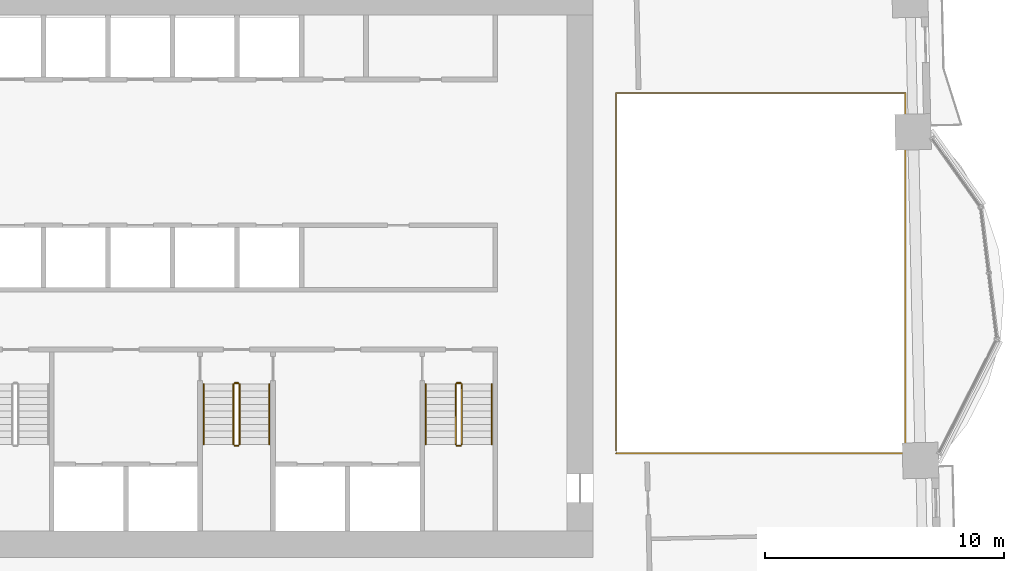
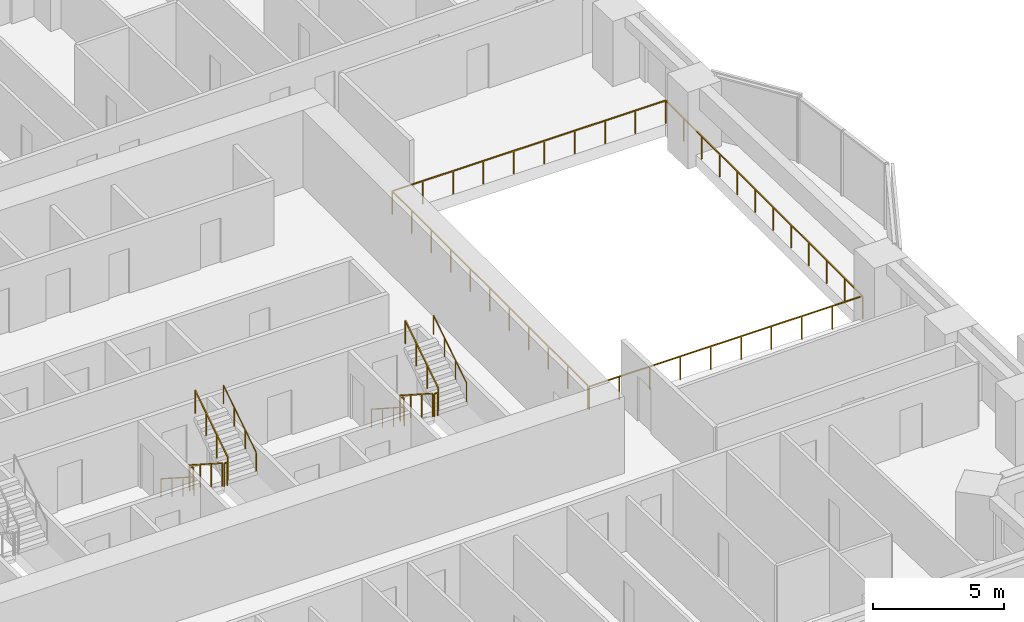
# One storey, part 15 of 16: 13 railings.
"""IFC4 building model written with IfcOpenShell, lengths in metres."""

from ifc_helpers import new_model, si_unit, direction, frame, origin, origin_2d, place, context, subcontext, project, spatial, rectangle, circle, extrude, material, type_object, element, save


model = new_model("IFC4")

# Units and contexts
model_context = context("Model", 3, precision=1e-05, world=origin(), true_north=direction((0.0, 1.0)))
body_context = subcontext(model_context, "Body", "Model", "MODEL_VIEW")
ifc_project = project(units=[si_unit("LENGTHUNIT", "METRE"), si_unit("AREAUNIT", "SQUARE_METRE"), si_unit("VOLUMEUNIT", "CUBIC_METRE"), si_unit("PLANEANGLEUNIT", "RADIAN"), si_unit("MASSUNIT", "GRAM", prefix="KILO")], contexts=[model_context])

# Site, building, storey
site_placement = place(None, origin())
site = spatial("IfcSite", under=ifc_project, at=site_placement, CompositionType="ELEMENT")
building_placement = place(site_placement, origin())
building = spatial("IfcBuilding", under=site, at=building_placement, Name="Mangrove Gate Tower", CompositionType="ELEMENT")
storey_placement = place(building_placement, frame((0.0, 0.0, 44.89990234375)))
storey = spatial("IfcBuildingStorey", under=building, at=storey_placement, Name="L10", CompositionType="ELEMENT", Elevation=44.89990234375)

# Railings
ifc_material_1 = material(Name="Stainless steel grade 316 with laminated glass infill", Category="steel")
railing_type_1 = type_object("IfcRailingType", Name="Balcony guard 1100", PredefinedType="GUARDRAIL", material=ifc_material_1)
railing_1_placement = place(storey_placement, frame((15.860107421875, -7.5400390625, 0.0)))
element("IfcRailing", 1, at=railing_1_placement, inside=storey, type_object=railing_type_1, Name="GUARD L10 atrium", PredefinedType="GUARDRAIL", context=body_context, shape_type="SweptSolid", body=[
    extrude(rectangle(XDim=0.048095703125, YDim=0.048095703125, at=origin_2d()), frame((0.0, 0.0, 1.076171875), z_axis=(1.0, 0.0, 0.0), x_axis=(0.0, 1.0, 0.0)), (0.0, 0.0, 1.0), 12.101806640625),
    extrude(rectangle(XDim=0.048095703125, YDim=0.048095703125, at=origin_2d()), frame((12.101806640625, 0.0, 1.076171875), z_axis=(0.0, 1.0, 0.0), x_axis=(-1.0, 0.0, 0.0)), (0.0, 0.0, 1.0), 15.080078125),
    extrude(rectangle(XDim=0.048095703125, YDim=0.048095703125, at=origin_2d()), frame((12.101806640625, 15.080078125, 1.076171875), z_axis=(-1.0, 0.0, 0.0), x_axis=(0.0, -1.0, 0.0)), (0.0, 0.0, 1.0), 12.101806640625),
    extrude(rectangle(XDim=0.048095703125, YDim=0.048095703125, at=origin_2d()), frame((0.0, 15.080078125, 1.076171875), z_axis=(0.0, -1.0, 0.0), x_axis=(1.0, 0.0, 0.0)), (0.0, 0.0, 1.0), 14.9599609375),
    extrude(rectangle(XDim=0.0419921875, YDim=0.0419921875, at=origin_2d()), origin(), (0.0, 0.0, 1.0), 1.052001953125),
    extrude(rectangle(XDim=0.0419921875, YDim=0.0419921875, at=origin_2d()), frame((1.3447265625, 0.0, 0.0)), (0.0, 0.0, 1.0), 1.052001953125),
    extrude(rectangle(XDim=0.0419921875, YDim=0.0419921875, at=origin_2d()), frame((2.689208984375, 0.0, 0.0)), (0.0, 0.0, 1.0), 1.052001953125),
    extrude(rectangle(XDim=0.0419921875, YDim=0.0419921875, at=origin_2d()), frame((4.033935546875, 0.0, 0.0)), (0.0, 0.0, 1.0), 1.052001953125),
    extrude(rectangle(XDim=0.0419921875, YDim=0.0419921875, at=origin_2d()), frame((5.378662109375, 0.0, 0.0)), (0.0, 0.0, 1.0), 1.052001953125),
    extrude(rectangle(XDim=0.0419921875, YDim=0.0419921875, at=origin_2d()), frame((6.72314453125, 0.0, 0.0)), (0.0, 0.0, 1.0), 1.052001953125),
    extrude(rectangle(XDim=0.0419921875, YDim=0.0419921875, at=origin_2d()), frame((8.06787109375, 0.0, 0.0)), (0.0, 0.0, 1.0), 1.052001953125),
    extrude(rectangle(XDim=0.0419921875, YDim=0.0419921875, at=origin_2d()), frame((9.41259765625, 0.0, 0.0)), (0.0, 0.0, 1.0), 1.052001953125),
    extrude(rectangle(XDim=0.0419921875, YDim=0.0419921875, at=origin_2d()), frame((10.757080078125, 0.0, 0.0)), (0.0, 0.0, 1.0), 1.052001953125),
    extrude(rectangle(XDim=0.0419921875, YDim=0.0419921875, at=origin_2d()), frame((12.101806640625, 0.0, 0.0)), (0.0, 0.0, 1.0), 1.052001953125),
    extrude(rectangle(XDim=0.0419921875, YDim=0.0419921875, at=origin_2d()), frame((12.101806640625, 1.370849609375, 0.0)), (0.0, 0.0, 1.0), 1.052001953125),
    extrude(rectangle(XDim=0.0419921875, YDim=0.0419921875, at=origin_2d()), frame((12.101806640625, 2.741943359375, 0.0)), (0.0, 0.0, 1.0), 1.052001953125),
    extrude(rectangle(XDim=0.0419921875, YDim=0.0419921875, at=origin_2d()), frame((12.101806640625, 4.11279296875, 0.0)), (0.0, 0.0, 1.0), 1.052001953125),
    extrude(rectangle(XDim=0.0419921875, YDim=0.0419921875, at=origin_2d()), frame((12.101806640625, 5.483642578125, 0.0)), (0.0, 0.0, 1.0), 1.052001953125),
    extrude(rectangle(XDim=0.0419921875, YDim=0.0419921875, at=origin_2d()), frame((12.101806640625, 6.8544921875, 0.0)), (0.0, 0.0, 1.0), 1.052001953125),
    extrude(rectangle(XDim=0.0419921875, YDim=0.0419921875, at=origin_2d()), frame((12.101806640625, 8.2255859375, 0.0)), (0.0, 0.0, 1.0), 1.052001953125),
    extrude(rectangle(XDim=0.0419921875, YDim=0.0419921875, at=origin_2d()), frame((12.101806640625, 9.596435546875, 0.0)), (0.0, 0.0, 1.0), 1.052001953125),
    extrude(rectangle(XDim=0.0419921875, YDim=0.0419921875, at=origin_2d()), frame((12.101806640625, 10.96728515625, 0.0)), (0.0, 0.0, 1.0), 1.052001953125),
    extrude(rectangle(XDim=0.0419921875, YDim=0.0419921875, at=origin_2d()), frame((12.101806640625, 12.338134765625, 0.0)), (0.0, 0.0, 1.0), 1.052001953125),
    extrude(rectangle(XDim=0.0419921875, YDim=0.0419921875, at=origin_2d()), frame((12.101806640625, 13.709228515625, 0.0)), (0.0, 0.0, 1.0), 1.052001953125),
    extrude(rectangle(XDim=0.0419921875, YDim=0.0419921875, at=origin_2d()), frame((12.101806640625, 15.080078125, 0.0)), (0.0, 0.0, 1.0), 1.052001953125),
    extrude(rectangle(XDim=0.0419921875, YDim=0.0419921875, at=origin_2d()), frame((10.757080078125, 15.080078125, 0.0)), (0.0, 0.0, 1.0), 1.052001953125),
    extrude(rectangle(XDim=0.0419921875, YDim=0.0419921875, at=origin_2d()), frame((9.41259765625, 15.080078125, 0.0)), (0.0, 0.0, 1.0), 1.052001953125),
    extrude(rectangle(XDim=0.0419921875, YDim=0.0419921875, at=origin_2d()), frame((8.06787109375, 15.080078125, 0.0)), (0.0, 0.0, 1.0), 1.052001953125),
    extrude(rectangle(XDim=0.0419921875, YDim=0.0419921875, at=origin_2d()), frame((6.72314453125, 15.080078125, 0.0)), (0.0, 0.0, 1.0), 1.052001953125),
    extrude(rectangle(XDim=0.0419921875, YDim=0.0419921875, at=origin_2d()), frame((5.378662109375, 15.080078125, 0.0)), (0.0, 0.0, 1.0), 1.052001953125),
    extrude(rectangle(XDim=0.0419921875, YDim=0.0419921875, at=origin_2d()), frame((4.033935546875, 15.080078125, 0.0)), (0.0, 0.0, 1.0), 1.052001953125),
    extrude(rectangle(XDim=0.0419921875, YDim=0.0419921875, at=origin_2d()), frame((2.689208984375, 15.080078125, 0.0)), (0.0, 0.0, 1.0), 1.052001953125),
    extrude(rectangle(XDim=0.0419921875, YDim=0.0419921875, at=origin_2d()), frame((1.3447265625, 15.080078125, 0.0)), (0.0, 0.0, 1.0), 1.052001953125),
    extrude(rectangle(XDim=0.0419921875, YDim=0.0419921875, at=origin_2d()), frame((0.0, 15.080078125, 0.0)), (0.0, 0.0, 1.0), 1.052001953125),
    extrude(rectangle(XDim=0.0419921875, YDim=0.0419921875, at=origin_2d()), frame((0.0, 13.583984375, 0.0)), (0.0, 0.0, 1.0), 1.052001953125),
    extrude(rectangle(XDim=0.0419921875, YDim=0.0419921875, at=origin_2d()), frame((0.0, 12.088134765625, 0.0)), (0.0, 0.0, 1.0), 1.052001953125),
    extrude(rectangle(XDim=0.0419921875, YDim=0.0419921875, at=origin_2d()), frame((0.0, 10.592041015625, 0.0)), (0.0, 0.0, 1.0), 1.052001953125),
    extrude(rectangle(XDim=0.0419921875, YDim=0.0419921875, at=origin_2d()), frame((0.0, 9.09619140625, 0.0)), (0.0, 0.0, 1.0), 1.052001953125),
    extrude(rectangle(XDim=0.0419921875, YDim=0.0419921875, at=origin_2d()), frame((0.0, 7.60009765625, 0.0)), (0.0, 0.0, 1.0), 1.052001953125),
    extrude(rectangle(XDim=0.0419921875, YDim=0.0419921875, at=origin_2d()), frame((0.0, 6.10400390625, 0.0)), (0.0, 0.0, 1.0), 1.052001953125),
    extrude(rectangle(XDim=0.0419921875, YDim=0.0419921875, at=origin_2d()), frame((0.0, 4.608154296875, 0.0)), (0.0, 0.0, 1.0), 1.052001953125),
    extrude(rectangle(XDim=0.0419921875, YDim=0.0419921875, at=origin_2d()), frame((0.0, 3.112060546875, 0.0)), (0.0, 0.0, 1.0), 1.052001953125),
    extrude(rectangle(XDim=0.0419921875, YDim=0.0419921875, at=origin_2d()), frame((0.0, 1.6162109375, 0.0)), (0.0, 0.0, 1.0), 1.052001953125),
    extrude(rectangle(XDim=0.0419921875, YDim=0.0419921875, at=origin_2d()), frame((0.0, 0.1201171875, 0.0)), (0.0, 0.0, 1.0), 1.052001953125),
])
ifc_material_2 = material(Name="Stainless steel 316", Category="steel")
railing_type_2 = type_object("IfcRailingType", Name="Core stair guard 1100", PredefinedType="GUARDRAIL", material=ifc_material_2)
railing_2_placement = place(storey_placement, frame((-0.14990234375, -4.64990234375, 0.18017578125)))
element("IfcRailing", 2, at=railing_2_placement, inside=storey, type_object=railing_type_2, Name="L10 ST2 stair guard 1", PredefinedType="GUARDRAIL", context=body_context, shape_type="SweptSolid", body=[
    extrude(rectangle(XDim=0.048095703125, YDim=0.048095703125, at=origin_2d()), frame((0.0, 0.0, 1.076171875), z_axis=(0.0, -0.841199657755, 0.540724639528), x_axis=(1.0, 0.0, 0.0)), (0.0, 0.0, 1.0), 2.995849609375),
    extrude(rectangle(XDim=0.0419921875, YDim=0.0419921875, at=origin_2d()), origin(), (0.0, 0.0, 1.0), 1.052001953125),
    extrude(rectangle(XDim=0.0419921875, YDim=0.0419921875, at=origin_2d()), frame((0.0, -0.840087890625, 0.5400390625)), (0.0, 0.0, 1.0), 1.052001953125),
    extrude(rectangle(XDim=0.0419921875, YDim=0.0419921875, at=origin_2d()), frame((0.0, -1.679931640625, 1.079833984375)), (0.0, 0.0, 1.0), 1.052001953125),
    extrude(rectangle(XDim=0.0419921875, YDim=0.0419921875, at=origin_2d()), frame((0.0, -2.52001953125, 1.619873046875)), (0.0, 0.0, 1.0), 1.052001953125),
])
railing_3_placement = place(storey_placement, frame((-0.10009765625, -7.219970703125, 1.800048828125)))
element("IfcRailing", 3, at=railing_3_placement, inside=storey, type_object=railing_type_2, Name="L10 ST2 stair guard 2", PredefinedType="GUARDRAIL", context=body_context, shape_type="SweptSolid", body=[
    extrude(rectangle(XDim=0.048095703125, YDim=0.048095703125, at=origin_2d()), frame((0.0, 0.0, 1.076171875), z_axis=(1.0, 0.0, 0.0), x_axis=(0.0, 1.0, 0.0)), (0.0, 0.0, 1.0), 0.150146484375),
    extrude(rectangle(XDim=0.0419921875, YDim=0.0419921875, at=origin_2d()), origin(), (0.0, 0.0, 1.0), 1.052001953125),
    extrude(rectangle(XDim=0.0419921875, YDim=0.0419921875, at=origin_2d()), frame((0.150146484375, 0.0, 0.0)), (0.0, 0.0, 1.0), 1.052001953125),
])
railing_4_placement = place(storey_placement, frame((0.10009765625, -7.169921875, 1.97998046875)))
element("IfcRailing", 4, at=railing_4_placement, inside=storey, type_object=railing_type_2, Name="L10 ST2 stair guard 3", PredefinedType="GUARDRAIL", context=body_context, shape_type="SweptSolid", body=[
    extrude(rectangle(XDim=0.048095703125, YDim=0.048095703125, at=origin_2d()), frame((0.0, 0.0, 1.076171875), z_axis=(0.0, 0.841162588446, 0.540782303519), x_axis=(-1.0, 0.0, 0.0)), (0.0, 0.0, 1.0), 2.995849609375),
    extrude(rectangle(XDim=0.0419921875, YDim=0.0419921875, at=origin_2d()), origin(), (0.0, 0.0, 1.0), 1.052001953125),
    extrude(rectangle(XDim=0.0419921875, YDim=0.0419921875, at=origin_2d()), frame((0.0, 0.840087890625, 0.5400390625)), (0.0, 0.0, 1.0), 1.052001953125),
    extrude(rectangle(XDim=0.0419921875, YDim=0.0419921875, at=origin_2d()), frame((0.0, 1.679931640625, 1.080078125)), (0.0, 0.0, 1.0), 1.052001953125),
    extrude(rectangle(XDim=0.0419921875, YDim=0.0419921875, at=origin_2d()), frame((0.0, 2.52001953125, 1.6201171875)), (0.0, 0.0, 1.0), 1.052001953125),
])
railing_5_placement = place(storey_placement, frame((-0.10009765625, -4.60009765625, 0.0)))
element("IfcRailing", 5, at=railing_5_placement, inside=storey, type_object=railing_type_2, Name="L10 ST2 stair guard 4", PredefinedType="GUARDRAIL", context=body_context, shape_type="SweptSolid", body=[
    extrude(rectangle(XDim=0.048095703125, YDim=0.048095703125, at=origin_2d()), frame((0.0, 0.0, 1.076171875), z_axis=(1.0, 0.0, 0.0), x_axis=(0.0, 1.0, 0.0)), (0.0, 0.0, 1.0), 0.150146484375),
    extrude(rectangle(XDim=0.0419921875, YDim=0.0419921875, at=origin_2d()), origin(), (0.0, 0.0, 1.0), 1.052001953125),
    extrude(rectangle(XDim=0.0419921875, YDim=0.0419921875, at=origin_2d()), frame((0.150146484375, 0.0, 0.0)), (0.0, 0.0, 1.0), 1.052001953125),
])
railing_6_placement = place(storey_placement, frame((9.14990234375, -4.64990234375, 0.18017578125)))
element("IfcRailing", 6, at=railing_6_placement, inside=storey, type_object=railing_type_2, Name="L10 ST3 stair guard 1", PredefinedType="GUARDRAIL", context=body_context, shape_type="SweptSolid", body=[
    extrude(rectangle(XDim=0.048095703125, YDim=0.048095703125, at=origin_2d()), frame((0.0, 0.0, 1.076171875), z_axis=(0.0, -0.841199657755, 0.540724639528), x_axis=(1.0, 0.0, 0.0)), (0.0, 0.0, 1.0), 2.995849609375),
    extrude(rectangle(XDim=0.0419921875, YDim=0.0419921875, at=origin_2d()), origin(), (0.0, 0.0, 1.0), 1.052001953125),
    extrude(rectangle(XDim=0.0419921875, YDim=0.0419921875, at=origin_2d()), frame((0.0, -0.840087890625, 0.5400390625)), (0.0, 0.0, 1.0), 1.052001953125),
    extrude(rectangle(XDim=0.0419921875, YDim=0.0419921875, at=origin_2d()), frame((0.0, -1.679931640625, 1.079833984375)), (0.0, 0.0, 1.0), 1.052001953125),
    extrude(rectangle(XDim=0.0419921875, YDim=0.0419921875, at=origin_2d()), frame((0.0, -2.52001953125, 1.619873046875)), (0.0, 0.0, 1.0), 1.052001953125),
])
railing_7_placement = place(storey_placement, frame((9.199951171875, -7.219970703125, 1.800048828125)))
element("IfcRailing", 7, at=railing_7_placement, inside=storey, type_object=railing_type_2, Name="L10 ST3 stair guard 2", PredefinedType="GUARDRAIL", context=body_context, shape_type="SweptSolid", body=[
    extrude(rectangle(XDim=0.048095703125, YDim=0.048095703125, at=origin_2d()), frame((0.0, 0.0, 1.076171875), z_axis=(1.0, 0.0, 0.0), x_axis=(0.0, 1.0, 0.0)), (0.0, 0.0, 1.0), 0.150146484375),
    extrude(rectangle(XDim=0.0419921875, YDim=0.0419921875, at=origin_2d()), origin(), (0.0, 0.0, 1.0), 1.052001953125),
    extrude(rectangle(XDim=0.0419921875, YDim=0.0419921875, at=origin_2d()), frame((0.150146484375, 0.0, 0.0)), (0.0, 0.0, 1.0), 1.052001953125),
])
railing_8_placement = place(storey_placement, frame((9.39990234375, -7.169921875, 1.97998046875)))
element("IfcRailing", 8, at=railing_8_placement, inside=storey, type_object=railing_type_2, Name="L10 ST3 stair guard 3", PredefinedType="GUARDRAIL", context=body_context, shape_type="SweptSolid", body=[
    extrude(rectangle(XDim=0.048095703125, YDim=0.048095703125, at=origin_2d()), frame((0.0, 0.0, 1.076171875), z_axis=(0.0, 0.841162588446, 0.540782303519), x_axis=(-1.0, 0.0, 0.0)), (0.0, 0.0, 1.0), 2.995849609375),
    extrude(rectangle(XDim=0.0419921875, YDim=0.0419921875, at=origin_2d()), origin(), (0.0, 0.0, 1.0), 1.052001953125),
    extrude(rectangle(XDim=0.0419921875, YDim=0.0419921875, at=origin_2d()), frame((0.0, 0.840087890625, 0.5400390625)), (0.0, 0.0, 1.0), 1.052001953125),
    extrude(rectangle(XDim=0.0419921875, YDim=0.0419921875, at=origin_2d()), frame((0.0, 1.679931640625, 1.080078125)), (0.0, 0.0, 1.0), 1.052001953125),
    extrude(rectangle(XDim=0.0419921875, YDim=0.0419921875, at=origin_2d()), frame((0.0, 2.52001953125, 1.6201171875)), (0.0, 0.0, 1.0), 1.052001953125),
])
railing_9_placement = place(storey_placement, frame((9.199951171875, -4.60009765625, 0.0)))
element("IfcRailing", 9, at=railing_9_placement, inside=storey, type_object=railing_type_2, Name="L10 ST3 stair guard 4", PredefinedType="GUARDRAIL", context=body_context, shape_type="SweptSolid", body=[
    extrude(rectangle(XDim=0.048095703125, YDim=0.048095703125, at=origin_2d()), frame((0.0, 0.0, 1.076171875), z_axis=(1.0, 0.0, 0.0), x_axis=(0.0, 1.0, 0.0)), (0.0, 0.0, 1.0), 0.150146484375),
    extrude(rectangle(XDim=0.0419921875, YDim=0.0419921875, at=origin_2d()), origin(), (0.0, 0.0, 1.0), 1.052001953125),
    extrude(rectangle(XDim=0.0419921875, YDim=0.0419921875, at=origin_2d()), frame((0.150146484375, 0.0, 0.0)), (0.0, 0.0, 1.0), 1.052001953125),
])
ifc_material_3 = material(Name="Stainless steel 316", Category="steel")
railing_type_3 = type_object("IfcRailingType", Name="Core stair handrail 900", PredefinedType="HANDRAIL", material=ifc_material_3)
railing_10_placement = place(storey_placement, frame((-1.39990234375, -4.64990234375, 0.18017578125)))
element("IfcRailing", 10, at=railing_10_placement, inside=storey, type_object=railing_type_3, Name="L10 ST2 stair handrail 1", PredefinedType="HANDRAIL", context=body_context, shape_type="SweptSolid", body=[
    extrude(circle(Radius=0.02392578125, at=origin_2d()), frame((0.0, 0.0, 0.8759765625), z_axis=(0.0, -0.841199657755, 0.540724639528), x_axis=(1.0, 0.0, 0.0)), (0.0, 0.0, 1.0), 2.995849609375),
    extrude(circle(Radius=0.02099609375, at=origin_2d()), origin(), (0.0, 0.0, 1.0), 0.851806640625),
    extrude(circle(Radius=0.02099609375, at=origin_2d()), frame((0.0, -0.840087890625, 0.5400390625)), (0.0, 0.0, 1.0), 0.851806640625),
    extrude(circle(Radius=0.02099609375, at=origin_2d()), frame((0.0, -1.679931640625, 1.079833984375)), (0.0, 0.0, 1.0), 0.851806640625),
    extrude(circle(Radius=0.02099609375, at=origin_2d()), frame((0.0, -2.52001953125, 1.619873046875)), (0.0, 0.0, 1.0), 0.851806640625),
])
railing_11_placement = place(storey_placement, frame((1.35009765625, -7.169921875, 1.97998046875)))
element("IfcRailing", 11, at=railing_11_placement, inside=storey, type_object=railing_type_3, Name="L10 ST2 stair handrail 2", PredefinedType="HANDRAIL", context=body_context, shape_type="SweptSolid", body=[
    extrude(circle(Radius=0.02392578125, at=origin_2d()), frame((0.0, 0.0, 0.8759765625), z_axis=(0.0, 0.841162588446, 0.540782303519), x_axis=(-1.0, 0.0, 0.0)), (0.0, 0.0, 1.0), 2.995849609375),
    extrude(circle(Radius=0.02099609375, at=origin_2d()), origin(), (0.0, 0.0, 1.0), 0.851806640625),
    extrude(circle(Radius=0.02099609375, at=origin_2d()), frame((0.0, 0.840087890625, 0.5400390625)), (0.0, 0.0, 1.0), 0.851806640625),
    extrude(circle(Radius=0.02099609375, at=origin_2d()), frame((0.0, 1.679931640625, 1.080078125)), (0.0, 0.0, 1.0), 0.851806640625),
    extrude(circle(Radius=0.02099609375, at=origin_2d()), frame((0.0, 2.52001953125, 1.6201171875)), (0.0, 0.0, 1.0), 0.851806640625),
])
railing_12_placement = place(storey_placement, frame((7.89990234375, -4.64990234375, 0.18017578125)))
element("IfcRailing", 12, at=railing_12_placement, inside=storey, type_object=railing_type_3, Name="L10 ST3 stair handrail 1", PredefinedType="HANDRAIL", context=body_context, shape_type="SweptSolid", body=[
    extrude(circle(Radius=0.02392578125, at=origin_2d()), frame((0.0, 0.0, 0.8759765625), z_axis=(0.0, -0.841199657755, 0.540724639528), x_axis=(1.0, 0.0, 0.0)), (0.0, 0.0, 1.0), 2.995849609375),
    extrude(circle(Radius=0.02099609375, at=origin_2d()), origin(), (0.0, 0.0, 1.0), 0.851806640625),
    extrude(circle(Radius=0.02099609375, at=origin_2d()), frame((0.0, -0.840087890625, 0.5400390625)), (0.0, 0.0, 1.0), 0.851806640625),
    extrude(circle(Radius=0.02099609375, at=origin_2d()), frame((0.0, -1.679931640625, 1.079833984375)), (0.0, 0.0, 1.0), 0.851806640625),
    extrude(circle(Radius=0.02099609375, at=origin_2d()), frame((0.0, -2.52001953125, 1.619873046875)), (0.0, 0.0, 1.0), 0.851806640625),
])
railing_13_placement = place(storey_placement, frame((10.64990234375, -7.169921875, 1.97998046875)))
element("IfcRailing", 13, at=railing_13_placement, inside=storey, type_object=railing_type_3, Name="L10 ST3 stair handrail 2", PredefinedType="HANDRAIL", context=body_context, shape_type="SweptSolid", body=[
    extrude(circle(Radius=0.02392578125, at=origin_2d()), frame((0.0, 0.0, 0.8759765625), z_axis=(0.0, 0.841162588446, 0.540782303519), x_axis=(-1.0, 0.0, 0.0)), (0.0, 0.0, 1.0), 2.995849609375),
    extrude(circle(Radius=0.02099609375, at=origin_2d()), origin(), (0.0, 0.0, 1.0), 0.851806640625),
    extrude(circle(Radius=0.02099609375, at=origin_2d()), frame((0.0, 0.840087890625, 0.5400390625)), (0.0, 0.0, 1.0), 0.851806640625),
    extrude(circle(Radius=0.02099609375, at=origin_2d()), frame((0.0, 1.679931640625, 1.080078125)), (0.0, 0.0, 1.0), 0.851806640625),
    extrude(circle(Radius=0.02099609375, at=origin_2d()), frame((0.0, 2.52001953125, 1.6201171875)), (0.0, 0.0, 1.0), 0.851806640625),
])

save(model, "model.ifc")
